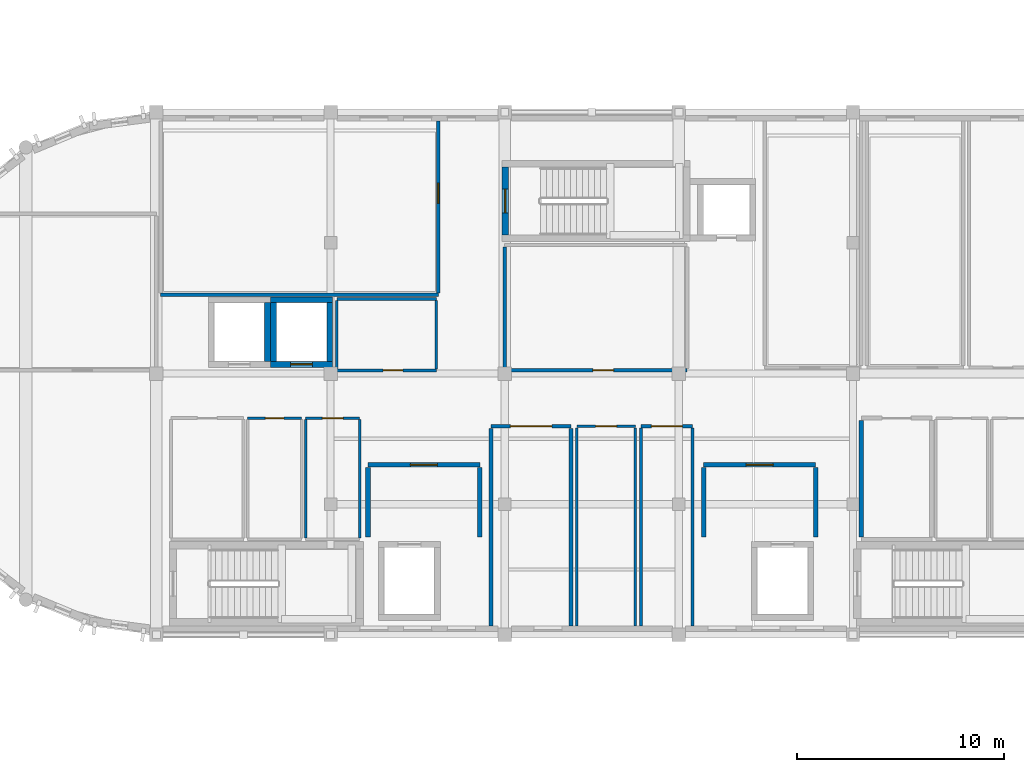
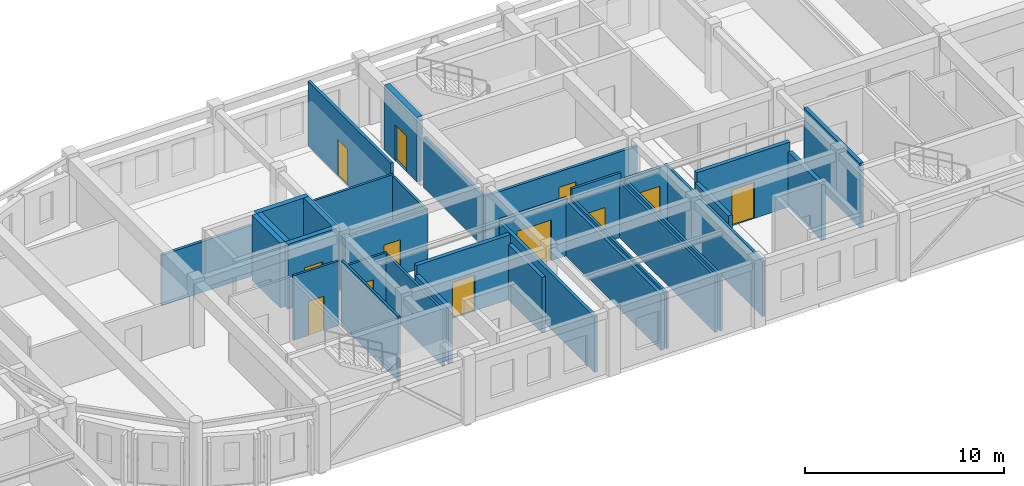
# One storey, part 18 of 29: 34 walls, 12 doors, 12 openings.
"""IFC4 building model written with IfcOpenShell, lengths in metres."""

from ifc_helpers import new_model, si_unit, direction, frame, frame_2d, origin, place, context, subcontext, project, spatial, rectangle, extrude, material, layer, layer_set, type_object, element, fill, save


model = new_model("IFC4")

# Units and contexts
model_context = context("Model", 3, precision=1e-05, world=origin(), true_north=direction((0.0, 1.0)))
body_context = subcontext(model_context, "Body", "Model", "MODEL_VIEW")
ifc_project = project(units=[si_unit("LENGTHUNIT", "METRE"), si_unit("AREAUNIT", "SQUARE_METRE"), si_unit("VOLUMEUNIT", "CUBIC_METRE"), si_unit("PLANEANGLEUNIT", "RADIAN"), si_unit("MASSUNIT", "GRAM", prefix="KILO")], contexts=[model_context])

# Site, building, storey
site_placement = place(None, origin())
site = spatial("IfcSite", under=ifc_project, at=site_placement, CompositionType="ELEMENT")
building_placement = place(site_placement, origin())
building = spatial("IfcBuilding", under=site, at=building_placement, Name="Tarnavel Promenade Courthouse", CompositionType="ELEMENT")
storey_placement = place(building_placement, frame((0.0, 0.0, 22.800048828125)))
storey = spatial("IfcBuildingStorey", under=building, at=storey_placement, Name="L06", CompositionType="ELEMENT", Elevation=22.800048828125)

# Wall
ifc_material_1 = material(Name="Acoustic Insulated Gypsum Stud Partition", Category="gypsum")
ifc_layer_1 = layer(ifc_material_1, 0.1650390625)
ifc_layer_set_1 = layer_set([ifc_layer_1], Name="Acoustic Insulated Gypsum Stud Partition")
wall_type_1 = type_object("IfcWallType", Name="Acoustic Insulated Gypsum Stud Partition WL-CHM-165 (165 mm)", PredefinedType="PARTITIONING", material=ifc_layer_set_1)
wall_1_placement = place(storey_placement, frame((72.39990234375, 95.60009765625, 0.0), z_axis=(0.0, 0.0, 1.0), x_axis=(-1.0, 0.0, 0.0)))
element("IfcWall", 1, at=wall_1_placement, inside=storey, type_object=wall_type_1, Name="L06 Judges' Chambers L06 Suite A Partition 0801", PredefinedType="PARTITIONING", context=body_context, shape_type="SweptSolid", body=[
    extrude(rectangle(XDim=13.39990234375, YDim=0.1650390625, at=frame_2d((6.699951171875, 0.0))), origin(), (0.0, 0.0, 1.0), 3.099853515625),
])

# Wall, opening, door
wall_2_placement = place(storey_placement, frame((72.39990234375, 103.98095703125, 0.0), z_axis=(0.0, 0.0, 1.0), x_axis=(0.0, -1.0, 0.0)))
wall_2 = element("IfcWall", 2, at=wall_2_placement, inside=storey, type_object=wall_type_1, Name="L06 Judges' Chambers L06 Suite A Partition 0803", PredefinedType="PARTITIONING", context=body_context, shape_type="SweptSolid", body=[
    extrude(rectangle(XDim=8.28857421875, YDim=0.1650390625, at=frame_2d((4.144287109375, 0.0))), origin(), (0.0, 0.0, 1.0), 3.954833984375),
])
opening_1_placement = place(wall_2_placement, frame((2.993408203125, 0.0, 0.0)))
opening_1 = element("IfcOpeningElement", 3, at=opening_1_placement, cuts=wall_2, Name="Opening ID-04", PredefinedType="OPENING", context=body_context, shape_type="SweptSolid", body=[
    extrude(rectangle(XDim=0.97998046875, YDim=2.199951171875, at=frame_2d((0.489990234375, 1.10009765625))), frame((0.0, 0.092529296875, 0.0), z_axis=(0.0, -1.0, 0.0), x_axis=(1.0, 0.0, 0.0)), (0.0, 0.0, 1.0), 0.18505859375),
])
ifc_material_2 = material(Name="Solid Oak Judges Chambers Door")
door_type_1 = type_object("IfcDoorType", Name="Solid Oak Judges Chambers Door (DR-CHM-0980x2200)", OperationType="NOTDEFINED", PredefinedType="DOOR", material=ifc_material_2)
door_1_placement = place(opening_1_placement, origin())
door_1 = element("IfcDoor", 4, at=door_1_placement, inside=storey, type_object=door_type_1, Name="L06 Judges' Chambers L06 Suite A Door 0229", OperationType="SINGLE_SWING_RIGHT", OverallHeight=2.199951171875, OverallWidth=0.97998046875, PredefinedType="DOOR", context=body_context, shape_type="SweptSolid", body=[
    extrude(rectangle(XDim=0.97998046875, YDim=2.199951171875, at=frame_2d((0.489990234375, 1.10009765625))), frame((0.0, 0.02490234375, 0.0), z_axis=(0.0, -1.0, 0.0), x_axis=(1.0, 0.0, 0.0)), (0.0, 0.0, 1.0), 0.050048828125),
])
fill(opening_1, door_1)

wall_3_placement = place(storey_placement, frame((84.39990234375, 91.949951171875, 0.0), z_axis=(0.0, 0.0, 1.0), x_axis=(-1.0, 0.0, 0.0)))
wall_3 = element("IfcWall", 5, at=wall_3_placement, inside=storey, type_object=wall_type_1, Name="L06 L06 Judicial Panel Deliberation Salon Partition 0809", PredefinedType="PARTITIONING", context=body_context, shape_type="SweptSolid", body=[
    extrude(rectangle(XDim=8.7998046875, YDim=0.1650390625, at=frame_2d((4.39990234375, 0.0))), origin(), (0.0, 0.0, 1.0), 3.099853515625),
])
opening_2_placement = place(wall_3_placement, frame((3.544921875, 0.0, 0.0)))
opening_2 = element("IfcOpeningElement", 6, at=opening_2_placement, cuts=wall_3, Name="Opening ID-03", PredefinedType="OPENING", context=body_context, shape_type="SweptSolid", body=[
    extrude(rectangle(XDim=1.0, YDim=2.14990234375, at=frame_2d((0.5, 1.074951171875))), frame((0.0, 0.092529296875, 0.0), z_axis=(0.0, -1.0, 0.0), x_axis=(1.0, 0.0, 0.0)), (0.0, 0.0, 1.0), 0.18505859375),
])
ifc_material_3 = material(Name="Acoustic Solid-Core Oak Jury Room Door")
door_type_2 = type_object("IfcDoorType", Name="Acoustic Solid-Core Oak Jury Room Door (DR-JRY-1000x2150)", OperationType="NOTDEFINED", PredefinedType="DOOR", material=ifc_material_3)
door_2_placement = place(opening_2_placement, origin())
door_2 = element("IfcDoor", 7, at=door_2_placement, inside=storey, type_object=door_type_2, Name="L06 L06 Judicial Panel Deliberation Salon Door 0231", OperationType="SINGLE_SWING_RIGHT", OverallHeight=2.14990234375, OverallWidth=1.0, PredefinedType="DOOR", context=body_context, shape_type="SweptSolid", body=[
    extrude(rectangle(XDim=1.0, YDim=2.14990234375, at=frame_2d((0.5, 1.074951171875))), frame((0.0, 0.02490234375, 0.0), z_axis=(0.0, -1.0, 0.0), x_axis=(1.0, 0.0, 0.0)), (0.0, 0.0, 1.0), 0.050048828125),
])
fill(opening_2, door_2)

# Wall
wall_4_placement = place(storey_placement, frame((75.60009765625, 92.04248046875, 0.0), z_axis=(0.0, 0.0, 1.0), x_axis=(0.0, 1.0, 0.0)))
element("IfcWall", 8, at=wall_4_placement, inside=storey, type_object=wall_type_1, Name="L06 L06 Judicial Panel Deliberation Salon Partition 0810", PredefinedType="PARTITIONING", context=body_context, shape_type="SweptSolid", body=[
    extrude(rectangle(XDim=5.864990234375, YDim=0.1650390625, at=frame_2d((2.9326171875, 0.0))), origin(), (0.0, 0.0, 1.0), 3.099853515625),
])

# Wall, opening, door
ifc_layer_2 = layer(ifc_material_1, 0.14990234375)
ifc_layer_set_2 = layer_set([ifc_layer_2], Name="Acoustic Insulated Gypsum Stud Partition")
wall_type_2 = type_object("IfcWallType", Name="Acoustic Insulated Gypsum Stud Partition WL-LIB-150 (150 mm)", PredefinedType="PARTITIONING", material=ifc_layer_set_2)
wall_5_placement = place(storey_placement, frame((82.180908203125, 89.260009765625, 0.0), z_axis=(0.0, 0.0, 1.0), x_axis=(1.0, 0.0, 0.0)))
wall_5 = element("IfcWall", 9, at=wall_5_placement, inside=storey, type_object=wall_type_2, Name="L06 Chambers Reference Library L06 Partition 0827", PredefinedType="PARTITIONING", context=body_context, shape_type="SweptSolid", body=[
    extrude(rectangle(XDim=2.47900390625, YDim=0.14990234375, at=frame_2d((1.239501953125, 0.0))), origin(), (0.0, 0.0, 1.0), 3.5),
])
opening_3_placement = place(wall_5_placement, frame((0.489501953125, 0.0, 0.0)))
opening_3 = element("IfcOpeningElement", 10, at=opening_3_placement, cuts=wall_5, Name="Opening ID-05", PredefinedType="OPENING", context=body_context, shape_type="SweptSolid", body=[
    extrude(rectangle(XDim=1.5, YDim=2.35009765625, at=frame_2d((0.75, 1.175048828125))), frame((0.0, 0.0849609375, 0.0), z_axis=(0.0, -1.0, 0.0), x_axis=(1.0, 0.0, 0.0)), (0.0, 0.0, 1.0), 0.169921875),
])
ifc_material_4 = material(Name="Glazed Oak Law Library Double Door")
door_type_3 = type_object("IfcDoorType", Name="Glazed Oak Law Library Double Door (DR-LIB-1500x2350)", OperationType="NOTDEFINED", PredefinedType="DOOR", material=ifc_material_4)
door_3_placement = place(opening_3_placement, origin())
door_3 = element("IfcDoor", 11, at=door_3_placement, inside=storey, type_object=door_type_3, Name="L06 Chambers Reference Library L06 Door 0237", OperationType="DOUBLE_DOOR_SINGLE_SWING", OverallHeight=2.35009765625, OverallWidth=1.5, PredefinedType="DOOR", context=body_context, shape_type="SweptSolid", body=[
    extrude(rectangle(XDim=1.5, YDim=2.35009765625, at=frame_2d((0.75, 1.175048828125))), frame((0.0, 0.02490234375, 0.0), z_axis=(0.0, -1.0, 0.0), x_axis=(1.0, 0.0, 0.0)), (0.0, 0.0, 1.0), 0.050048828125),
])
fill(opening_3, door_3)

# Walls
for number, where, z_axis, x_axis, name in (
    (12, (82.180908203125, 79.618896484375, 0.0), (0.0, 0.0, 1.0), (0.0, 1.0, 0.0), "L06 Chambers Reference Library L06 Partition 0828"),
    (13, (84.659912109375, 89.175048828125, 0.0), (0.0, 0.0, 1.0), (0.0, -1.0, 0.0), "L06 Chambers Reference Library L06 Partition 0829"),
):
    element("IfcWall", number, at=place(storey_placement, frame(where, z_axis=z_axis, x_axis=x_axis)), inside=storey, type_object=wall_type_2, Name=name, PredefinedType="PARTITIONING", context=body_context, shape_type="SweptSolid", body=[
        extrude(rectangle(XDim=9.55615234375, YDim=0.14990234375, at=frame_2d((4.778076171875, 0.0))), origin(), (0.0, 0.0, 1.0), 3.39990234375),
    ])
ifc_material_5 = material(Name="Concrete C40/50", Category="concrete")
ifc_layer_3 = layer(ifc_material_5, 0.280029296875)
ifc_layer_set_3 = layer_set([ifc_layer_3], Name="Concrete C40/50")
wall_type_3 = type_object("IfcWallType", Name="Concrete C40/50 WL-SHR-280 (280 mm)", PredefinedType="SHEAR", material=ifc_layer_set_3)
wall_6_placement = place(storey_placement, frame((64.159912109375, 95.219970703125, 0.0), z_axis=(0.0, 0.0, 1.0), x_axis=(0.0, -1.0, 0.0)))
element("IfcWall", 14, at=wall_6_placement, inside=storey, type_object=wall_type_3, Name="L06 L-PUB1 Lift Shaft East Wall", PredefinedType="SHEAR", context=body_context, shape_type="SweptSolid", body=[
    extrude(rectangle(XDim=2.840087890625, YDim=0.280029296875, at=frame_2d((1.419921875, 0.0))), origin(), (0.0, 0.0, 1.0), 3.969970703125),
])
wall_7_placement = place(storey_placement, frame((64.300048828125, 95.360107421875, 0.0), z_axis=(0.0, 0.0, 1.0), x_axis=(1.0, 0.0, 0.0)))
element("IfcWall", 15, at=wall_7_placement, inside=storey, type_object=wall_type_3, Name="L06 L-PUB2 Lift Shaft North Wall", PredefinedType="SHEAR", context=body_context, shape_type="SweptSolid", body=[
    extrude(rectangle(XDim=3.0, YDim=0.280029296875, at=frame_2d((1.5, 0.0))), origin(), (0.0, 0.0, 1.0), 3.969970703125),
])

# Wall, opening, door
wall_8_placement = place(storey_placement, frame((67.300048828125, 92.239990234375, 0.0), z_axis=(0.0, 0.0, 1.0), x_axis=(-1.0, 0.0, 0.0)))
wall_8 = element("IfcWall", 16, at=wall_8_placement, inside=storey, type_object=wall_type_3, Name="L06 L-PUB2 Lift Shaft South Wall", PredefinedType="SHEAR", context=body_context, shape_type="SweptSolid", body=[
    extrude(rectangle(XDim=3.0, YDim=0.280029296875, at=frame_2d((1.5, 0.0))), origin(), (0.0, 0.0, 1.0), 3.969970703125),
])
opening_4_placement = place(wall_8_placement, frame((0.97509765625, 0.0, 0.0)))
opening_4 = element("IfcOpeningElement", 17, at=opening_4_placement, cuts=wall_8, Name="Opening LD-02", PredefinedType="OPENING", context=body_context, shape_type="SweptSolid", body=[
    extrude(rectangle(XDim=1.050048828125, YDim=2.199951171875, at=frame_2d((0.52490234375, 1.10009765625))), frame((0.0, 0.14990234375, 0.0), z_axis=(0.0, -1.0, 0.0), x_axis=(1.0, 0.0, 0.0)), (0.0, 0.0, 1.0), 0.300048828125),
])
ifc_material_6 = material(Name="Brushed Bronze Passenger Lift Landing Sliding Door")
door_type_4 = type_object("IfcDoorType", Name="Brushed Bronze Passenger Lift Landing Sliding Door (LD-PUB-1050x2200)", OperationType="NOTDEFINED", PredefinedType="DOOR", material=ifc_material_6)
door_4_placement = place(opening_4_placement, origin())
door_4 = element("IfcDoor", 18, at=door_4_placement, inside=storey, type_object=door_type_4, Name="L06 L-PUB2 Lift Sliding Landing Door", OperationType="DOUBLE_DOOR_SLIDING", OverallHeight=2.199951171875, OverallWidth=1.050048828125, PredefinedType="DOOR", context=body_context, shape_type="SweptSolid", body=[
    extrude(rectangle(XDim=1.050048828125, YDim=2.199951171875, at=frame_2d((0.52490234375, 1.10009765625))), frame((0.0, 0.02490234375, 0.0), z_axis=(0.0, -1.0, 0.0), x_axis=(1.0, 0.0, 0.0)), (0.0, 0.0, 1.0), 0.050048828125),
])
fill(opening_4, door_4)

# Walls
for number, where, z_axis, x_axis, name in (
    (19, (64.43994140625, 92.3798828125, 0.0), (0.0, 0.0, 1.0), (0.0, 1.0, 0.0), "L06 L-PUB2 Lift Shaft West Wall"),
    (20, (67.159912109375, 95.219970703125, 0.0), (0.0, 0.0, 1.0), (0.0, -1.0, 0.0), "L06 L-PUB2 Lift Shaft East Wall"),
):
    element("IfcWall", number, at=place(storey_placement, frame(where, z_axis=z_axis, x_axis=x_axis)), inside=storey, type_object=wall_type_3, Name=name, PredefinedType="SHEAR", context=body_context, shape_type="SweptSolid", body=[
        extrude(rectangle(XDim=2.840087890625, YDim=0.280029296875, at=frame_2d((1.419921875, 0.0))), origin(), (0.0, 0.0, 1.0), 3.969970703125),
    ])

# Wall, opening, door
ifc_layer_4 = layer(ifc_material_5, 0.320068359375)
ifc_layer_set_4 = layer_set([ifc_layer_4], Name="Concrete C40/50")
wall_type_4 = type_object("IfcWallType", Name="Concrete C40/50 WL-SHR-320 (320 mm)", PredefinedType="SHEAR", material=ifc_layer_set_4)
wall_9_placement = place(storey_placement, frame((75.6201171875, 98.47998046875, 0.0), z_axis=(0.0, 0.0, 1.0), x_axis=(0.0, 1.0, 0.0)))
wall_9 = element("IfcWall", 21, at=wall_9_placement, inside=storey, type_object=wall_type_4, Name="L06 ST-03 Shear Core West Landing Wall", PredefinedType="SHEAR", context=body_context, shape_type="SweptSolid", body=[
    extrude(rectangle(XDim=3.280029296875, YDim=0.320068359375, at=frame_2d((1.64013671875, 0.0))), origin(), (0.0, 0.0, 1.0), 3.969970703125),
])
opening_5_placement = place(wall_9_placement, frame((1.06494140625, 0.0, 0.0)))
opening_5 = element("IfcOpeningElement", 22, at=opening_5_placement, cuts=wall_9, Name="Opening FD-01", PredefinedType="OPENING", context=body_context, shape_type="SweptSolid", body=[
    extrude(rectangle(XDim=1.14990234375, YDim=2.199951171875, at=frame_2d((0.574951171875, 1.10009765625))), frame((0.0, 0.169921875, 0.0), z_axis=(0.0, -1.0, 0.0), x_axis=(1.0, 0.0, 0.0)), (0.0, 0.0, 1.0), 0.340087890625),
])
ifc_material_7 = material(Name="Steel Fire-Rated Stair Core Door", Category="steel")
door_type_5 = type_object("IfcDoorType", Name="Steel Fire-Rated Stair Core Door (DR-ST-1150x2200)", OperationType="NOTDEFINED", PredefinedType="DOOR", material=ifc_material_7)
door_5_placement = place(opening_5_placement, origin())
door_5 = element("IfcDoor", 23, at=door_5_placement, inside=storey, type_object=door_type_5, Name="L06 ST-03 Protected Exit Stair Door", OperationType="SINGLE_SWING_RIGHT", OverallHeight=2.199951171875, OverallWidth=1.14990234375, PredefinedType="DOOR", context=body_context, shape_type="SweptSolid", body=[
    extrude(rectangle(XDim=1.14990234375, YDim=2.199951171875, at=frame_2d((0.574951171875, 1.10009765625))), frame((0.0, 0.02490234375, 0.0), z_axis=(0.0, -1.0, 0.0), x_axis=(1.0, 0.0, 0.0)), (0.0, 0.0, 1.0), 0.050048828125),
])
fill(opening_5, door_5)

# Wall
ifc_material_8 = material(Name="Concrete Masonry Fire Compartment Wall", Category="masonry")
ifc_layer_5 = layer(ifc_material_8, 0.205078125)
ifc_layer_set_5 = layer_set([ifc_layer_5], Name="Concrete Masonry Fire Compartment Wall")
wall_type_5 = type_object("IfcWallType", Name="Concrete Masonry Fire Compartment Wall WL-CMP-205 (205 mm)", PredefinedType="STANDARD", material=ifc_layer_set_5)
wall_10_placement = place(storey_placement, frame((92.800048828125, 83.91259765625, 0.0), z_axis=(0.0, 0.0, 1.0), x_axis=(0.0, 1.0, 0.0)))
element("IfcWall", 24, at=wall_10_placement, inside=storey, type_object=wall_type_5, Name="L06 L06 Court Transcript Records Room Partition 0779", PredefinedType="STANDARD", context=body_context, shape_type="SweptSolid", body=[
    extrude(rectangle(XDim=5.625, YDim=0.205078125, at=frame_2d((2.8125, 0.0))), origin(), (0.0, 0.0, 1.0), 3.954833984375),
])

# Wall, opening, door
ifc_layer_6 = layer(ifc_material_8, 0.22998046875)
ifc_layer_set_6 = layer_set([ifc_layer_6], Name="Concrete Masonry Fire Compartment Wall")
wall_type_6 = type_object("IfcWallType", Name="Concrete Masonry Fire Compartment Wall WL-CMP-230 (230 mm)", PredefinedType="STANDARD", material=ifc_layer_set_6)
wall_11_placement = place(storey_placement, frame((69.0, 87.39990234375, 0.0), z_axis=(0.0, 0.0, 1.0), x_axis=(1.0, 0.0, 0.0)))
wall_11 = element("IfcWall", 25, at=wall_11_placement, inside=storey, type_object=wall_type_6, Name="L06 Firefighting Lobby L-FF1 Partition 0751", PredefinedType="STANDARD", context=body_context, shape_type="SweptSolid", body=[
    extrude(rectangle(XDim=5.39990234375, YDim=0.22998046875, at=frame_2d((2.699951171875, 0.0))), origin(), (0.0, 0.0, 1.0), 3.954833984375),
])
opening_6_placement = place(wall_11_placement, frame((2.050048828125, 0.0, 0.0)))
opening_6 = element("IfcOpeningElement", 26, at=opening_6_placement, cuts=wall_11, Name="Opening FD-03", PredefinedType="OPENING", context=body_context, shape_type="SweptSolid", body=[
    extrude(rectangle(XDim=1.300048828125, YDim=2.199951171875, at=frame_2d((0.64990234375, 1.10009765625))), frame((0.0, 0.125, 0.0), z_axis=(0.0, -1.0, 0.0), x_axis=(1.0, 0.0, 0.0)), (0.0, 0.0, 1.0), 0.25),
])
ifc_material_9 = material(Name="Smoke-Sealed Firefighting Lobby Fire Door")
door_type_6 = type_object("IfcDoorType", Name="Smoke-Sealed Firefighting Lobby Fire Door (DR-FFL-1300x2200)", OperationType="NOTDEFINED", PredefinedType="DOOR", material=ifc_material_9)
door_6_placement = place(opening_6_placement, origin())
door_6 = element("IfcDoor", 27, at=door_6_placement, inside=storey, type_object=door_type_6, Name="L06 Firefighting Lobby L-FF1 Door 0215", OperationType="SINGLE_SWING_RIGHT", OverallHeight=2.199951171875, OverallWidth=1.300048828125, PredefinedType="DOOR", context=body_context, shape_type="SweptSolid", body=[
    extrude(rectangle(XDim=1.300048828125, YDim=2.199951171875, at=frame_2d((0.64990234375, 1.10009765625))), frame((0.0, 0.02490234375, 0.0), z_axis=(0.0, -1.0, 0.0), x_axis=(1.0, 0.0, 0.0)), (0.0, 0.0, 1.0), 0.050048828125),
])
fill(opening_6, door_6)

# Walls
for number, where, z_axis, x_axis, name in (
    (28, (69.0, 83.925048828125, 0.0), (0.0, 0.0, 1.0), (0.0, 1.0, 0.0), "L06 Firefighting Lobby L-FF1 Partition 0752"),
    (29, (74.39990234375, 87.27490234375, 0.0), (0.0, 0.0, 1.0), (0.0, -1.0, 0.0), "L06 Firefighting Lobby L-FF1 Partition 0753"),
):
    element("IfcWall", number, at=place(storey_placement, frame(where, z_axis=z_axis, x_axis=x_axis)), inside=storey, type_object=wall_type_6, Name=name, PredefinedType="STANDARD", context=body_context, shape_type="SweptSolid", body=[
        extrude(rectangle(XDim=3.349853515625, YDim=0.22998046875, at=frame_2d((1.6748046875, 0.0))), origin(), (0.0, 0.0, 1.0), 3.39990234375),
    ])

# Wall, opening, door
wall_12_placement = place(storey_placement, frame((85.199951171875, 87.39990234375, 0.0), z_axis=(0.0, 0.0, 1.0), x_axis=(1.0, 0.0, 0.0)))
wall_12 = element("IfcWall", 30, at=wall_12_placement, inside=storey, type_object=wall_type_6, Name="L06 Firefighting Lobby L-FF2 Partition 0754", PredefinedType="STANDARD", context=body_context, shape_type="SweptSolid", body=[
    extrude(rectangle(XDim=5.400146484375, YDim=0.22998046875, at=frame_2d((2.7001953125, 0.0))), origin(), (0.0, 0.0, 1.0), 3.954833984375),
])
opening_7_placement = place(wall_12_placement, frame((2.050048828125, 0.0, 0.0)))
opening_7 = element("IfcOpeningElement", 31, at=opening_7_placement, cuts=wall_12, Name="Opening FD-03", PredefinedType="OPENING", context=body_context, shape_type="SweptSolid", body=[
    extrude(rectangle(XDim=1.300048828125, YDim=2.199951171875, at=frame_2d((0.64990234375, 1.10009765625))), frame((0.0, 0.125, 0.0), z_axis=(0.0, -1.0, 0.0), x_axis=(1.0, 0.0, 0.0)), (0.0, 0.0, 1.0), 0.25),
])
door_7_placement = place(opening_7_placement, origin())
door_7 = element("IfcDoor", 32, at=door_7_placement, inside=storey, type_object=door_type_6, Name="L06 Firefighting Lobby L-FF2 Door 0216", OperationType="SINGLE_SWING_LEFT", OverallHeight=2.199951171875, OverallWidth=1.300048828125, PredefinedType="DOOR", context=body_context, shape_type="SweptSolid", body=[
    extrude(rectangle(XDim=1.300048828125, YDim=2.199951171875, at=frame_2d((0.64990234375, 1.10009765625))), frame((0.0, 0.02490234375, 0.0), z_axis=(0.0, -1.0, 0.0), x_axis=(1.0, 0.0, 0.0)), (0.0, 0.0, 1.0), 0.050048828125),
])
fill(opening_7, door_7)

# Walls
for number, where, z_axis, x_axis, name in (
    (33, (85.199951171875, 83.925048828125, 0.0), (0.0, 0.0, 1.0), (0.0, 1.0, 0.0), "L06 Firefighting Lobby L-FF2 Partition 0755"),
    (34, (90.60009765625, 87.27490234375, 0.0), (0.0, 0.0, 1.0), (0.0, -1.0, 0.0), "L06 Firefighting Lobby L-FF2 Partition 0756"),
):
    element("IfcWall", number, at=place(storey_placement, frame(where, z_axis=z_axis, x_axis=x_axis)), inside=storey, type_object=wall_type_6, Name=name, PredefinedType="STANDARD", context=body_context, shape_type="SweptSolid", body=[
        extrude(rectangle(XDim=3.349853515625, YDim=0.22998046875, at=frame_2d((1.6748046875, 0.0))), origin(), (0.0, 0.0, 1.0), 3.39990234375),
    ])

# Wall, opening, door
ifc_material_10 = material(Name="Double-Stud Acoustic Courtroom Partition Assembly", Category="gypsum")
ifc_layer_7 = layer(ifc_material_10, 0.18505859375)
ifc_layer_set_7 = layer_set([ifc_layer_7], Name="Double-Stud Acoustic Courtroom Partition Assembly")
wall_type_7 = type_object("IfcWallType", Name="Double-Stud Acoustic Courtroom Partition Assembly WL-CRT-185 (185 mm)", PredefinedType="PARTITIONING", material=ifc_layer_set_7)
wall_13_placement = place(storey_placement, frame((74.93994140625, 89.260009765625, 0.0), z_axis=(0.0, 0.0, 1.0), x_axis=(1.0, 0.0, 0.0)))
wall_13 = element("IfcWall", 35, at=wall_13_placement, inside=storey, type_object=wall_type_7, Name="L06 Chamber Hearing Room L06 Partition 0821", PredefinedType="PARTITIONING", context=body_context, shape_type="SweptSolid", body=[
    extrude(rectangle(XDim=3.858154296875, YDim=0.18505859375, at=frame_2d((1.92919921875, 0.0))), origin(), (0.0, 0.0, 1.0), 3.5),
])
opening_8_placement = place(wall_13_placement, frame((0.928955078125, 0.0, 0.0)))
opening_8 = element("IfcOpeningElement", 36, at=opening_8_placement, cuts=wall_13, Name="Opening ID-01", PredefinedType="OPENING", context=body_context, shape_type="SweptSolid", body=[
    extrude(rectangle(XDim=2.0, YDim=2.5, at=frame_2d((1.0, 1.25))), frame((0.0, 0.1025390625, 0.0), z_axis=(0.0, -1.0, 0.0), x_axis=(1.0, 0.0, 0.0)), (0.0, 0.0, 1.0), 0.205078125),
])
ifc_material_11 = material(Name="Solid Oak Acoustic Courtroom Double Door")
door_type_7 = type_object("IfcDoorType", Name="Solid Oak Acoustic Courtroom Double Door (DR-CRT-2000x2500)", OperationType="NOTDEFINED", PredefinedType="DOOR", material=ifc_material_11)
door_8_placement = place(opening_8_placement, origin())
door_8 = element("IfcDoor", 37, at=door_8_placement, inside=storey, type_object=door_type_7, Name="L06 Chamber Hearing Room L06 Door 0235", OperationType="DOUBLE_DOOR_SINGLE_SWING", OverallHeight=2.5, OverallWidth=2.0, PredefinedType="DOOR", context=body_context, shape_type="SweptSolid", body=[
    extrude(rectangle(XDim=2.0, YDim=2.5, at=frame_2d((1.0, 1.25))), frame((0.0, 0.02490234375, 0.0), z_axis=(0.0, -1.0, 0.0), x_axis=(1.0, 0.0, 0.0)), (0.0, 0.0, 1.0), 0.050048828125),
])
fill(opening_8, door_8)

# Walls
for number, where, z_axis, x_axis, name in (
    (38, (74.93994140625, 79.618896484375, 0.0), (0.0, 0.0, 1.0), (0.0, 1.0, 0.0), "L06 Chamber Hearing Room L06 Partition 0822"),
    (39, (78.798095703125, 89.157470703125, 0.0), (0.0, 0.0, 1.0), (0.0, -1.0, 0.0), "L06 Chamber Hearing Room L06 Partition 0823"),
):
    element("IfcWall", number, at=place(storey_placement, frame(where, z_axis=z_axis, x_axis=x_axis)), inside=storey, type_object=wall_type_7, Name=name, PredefinedType="PARTITIONING", context=body_context, shape_type="SweptSolid", body=[
        extrude(rectangle(XDim=9.53857421875, YDim=0.18505859375, at=frame_2d((4.769287109375, 0.0))), origin(), (0.0, 0.0, 1.0), 3.39990234375),
    ])
ifc_material_12 = material(Name="Metal-Stud Acoustic Gypsum Partition", Category="gypsum")
ifc_layer_8 = layer(ifc_material_12, 0.135009765625)
ifc_layer_set_8 = layer_set([ifc_layer_8], Name="Metal-Stud Acoustic Gypsum Partition")
wall_type_8 = type_object("IfcWallType", Name="Metal-Stud Acoustic Gypsum Partition WL-OFF-135 (135 mm)", PredefinedType="PARTITIONING", material=ifc_layer_set_8)
wall_14_placement = place(storey_placement, frame((67.5, 95.39990234375, 0.0), z_axis=(0.0, 0.0, 1.0), x_axis=(1.0, 0.0, 0.0)))
element("IfcWall", 40, at=wall_14_placement, inside=storey, type_object=wall_type_8, Name="L06 L06 Judicial Case Clerks' Room Partition 0804", PredefinedType="PARTITIONING", context=body_context, shape_type="SweptSolid", body=[
    extrude(rectangle(XDim=4.800048828125, YDim=0.135009765625, at=frame_2d((2.39990234375, 0.0))), origin(), (0.0, 0.0, 1.0), 3.5),
])

# Wall, opening, door
wall_15_placement = place(storey_placement, frame((72.300048828125, 91.949951171875, 0.0), z_axis=(0.0, 0.0, 1.0), x_axis=(-1.0, 0.0, 0.0)))
wall_15 = element("IfcWall", 41, at=wall_15_placement, inside=storey, type_object=wall_type_8, Name="L06 L06 Judicial Case Clerks' Room Partition 0805", PredefinedType="PARTITIONING", context=body_context, shape_type="SweptSolid", body=[
    extrude(rectangle(XDim=4.800048828125, YDim=0.135009765625, at=frame_2d((2.39990234375, 0.0))), origin(), (0.0, 0.0, 1.0), 3.39990234375),
])
opening_9_placement = place(wall_15_placement, frame((1.610107421875, 0.0, 0.0)))
opening_9 = element("IfcOpeningElement", 42, at=opening_9_placement, cuts=wall_15, Name="Opening ID-06", PredefinedType="OPENING", context=body_context, shape_type="SweptSolid", body=[
    extrude(rectangle(XDim=0.949951171875, YDim=2.14990234375, at=frame_2d((0.47509765625, 1.074951171875))), frame((0.0, 0.077392578125, 0.0), z_axis=(0.0, -1.0, 0.0), x_axis=(1.0, 0.0, 0.0)), (0.0, 0.0, 1.0), 0.155029296875),
])
ifc_material_13 = material(Name="Acoustic Timber Veneer Office Door", Category="wood")
door_type_8 = type_object("IfcDoorType", Name="Acoustic Timber Veneer Office Door (DR-OFF-0950x2150)", OperationType="NOTDEFINED", PredefinedType="DOOR", material=ifc_material_13)
door_9_placement = place(opening_9_placement, origin())
door_9 = element("IfcDoor", 43, at=door_9_placement, inside=storey, type_object=door_type_8, Name="L06 L06 Judicial Case Clerks' Room Door 0230", OperationType="SINGLE_SWING_LEFT", OverallHeight=2.14990234375, OverallWidth=0.949951171875, PredefinedType="DOOR", context=body_context, shape_type="SweptSolid", body=[
    extrude(rectangle(XDim=0.949951171875, YDim=2.14990234375, at=frame_2d((0.47509765625, 1.074951171875))), frame((0.0, 0.02490234375, 0.0), z_axis=(0.0, -1.0, 0.0), x_axis=(1.0, 0.0, 0.0)), (0.0, 0.0, 1.0), 0.050048828125),
])
fill(opening_9, door_9)

# Walls
for number, where, z_axis, x_axis, name in (
    (44, (67.5, 92.027587890625, 0.0), (0.0, 0.0, 1.0), (0.0, 1.0, 0.0), "L06 L06 Judicial Case Clerks' Room Partition 0806"),
    (45, (72.300048828125, 95.322509765625, 0.0), (0.0, 0.0, 1.0), (0.0, -1.0, 0.0), "L06 L06 Judicial Case Clerks' Room Partition 0807"),
):
    element("IfcWall", number, at=place(storey_placement, frame(where, z_axis=z_axis, x_axis=x_axis)), inside=storey, type_object=wall_type_8, Name=name, PredefinedType="PARTITIONING", context=body_context, shape_type="SweptSolid", body=[
        extrude(rectangle(XDim=3.294921875, YDim=0.135009765625, at=frame_2d((1.6474609375, 0.0))), origin(), (0.0, 0.0, 1.0), 3.39990234375),
    ])

# Wall, opening, door
wall_16_placement = place(storey_placement, frame((79.077880859375, 89.260009765625, 0.0), z_axis=(0.0, 0.0, 1.0), x_axis=(1.0, 0.0, 0.0)))
wall_16 = element("IfcWall", 46, at=wall_16_placement, inside=storey, type_object=wall_type_8, Name="L06 Judicial Case Conference Room L06 Partition 0824", PredefinedType="PARTITIONING", context=body_context, shape_type="SweptSolid", body=[
    extrude(rectangle(XDim=2.822998046875, YDim=0.135009765625, at=frame_2d((1.41162109375, 0.0))), origin(), (0.0, 0.0, 1.0), 3.954833984375),
])
opening_10_placement = place(wall_16_placement, frame((0.901611328125, 0.0, 0.0)))
opening_10 = element("IfcOpeningElement", 47, at=opening_10_placement, cuts=wall_16, Name="Opening ID-07", PredefinedType="OPENING", context=body_context, shape_type="SweptSolid", body=[
    extrude(rectangle(XDim=1.02001953125, YDim=2.14990234375, at=frame_2d((0.510009765625, 1.074951171875))), frame((0.0, 0.077392578125, 0.0), z_axis=(0.0, -1.0, 0.0), x_axis=(1.0, 0.0, 0.0)), (0.0, 0.0, 1.0), 0.155029296875),
])
ifc_material_14 = material(Name="Acoustic Timber Seminar Room Door", Category="wood")
door_type_9 = type_object("IfcDoorType", Name="Acoustic Timber Seminar Room Door (DR-MTG-1020x2150)", OperationType="NOTDEFINED", PredefinedType="DOOR", material=ifc_material_14)
door_10_placement = place(opening_10_placement, origin())
door_10 = element("IfcDoor", 48, at=door_10_placement, inside=storey, type_object=door_type_9, Name="L06 Judicial Case Conference Room L06 Door 0236", OperationType="SINGLE_SWING_RIGHT", OverallHeight=2.14990234375, OverallWidth=1.02001953125, PredefinedType="DOOR", context=body_context, shape_type="SweptSolid", body=[
    extrude(rectangle(XDim=1.02001953125, YDim=2.14990234375, at=frame_2d((0.510009765625, 1.074951171875))), frame((0.0, 0.02490234375, 0.0), z_axis=(0.0, -1.0, 0.0), x_axis=(1.0, 0.0, 0.0)), (0.0, 0.0, 1.0), 0.050048828125),
])
fill(opening_10, door_10)

# Walls
for number, where, z_axis, x_axis, name in (
    (49, (79.077880859375, 79.618896484375, 0.0), (0.0, 0.0, 1.0), (0.0, 1.0, 0.0), "L06 Judicial Case Conference Room L06 Partition 0825"),
    (50, (81.90087890625, 89.1826171875, 0.0), (0.0, 0.0, 1.0), (0.0, -1.0, 0.0), "L06 Judicial Case Conference Room L06 Partition 0826"),
):
    element("IfcWall", number, at=place(storey_placement, frame(where, z_axis=z_axis, x_axis=x_axis)), inside=storey, type_object=wall_type_8, Name=name, PredefinedType="PARTITIONING", context=body_context, shape_type="SweptSolid", body=[
        extrude(rectangle(XDim=9.563720703125, YDim=0.135009765625, at=frame_2d((4.78173828125, 0.0))), origin(), (0.0, 0.0, 1.0), 3.39990234375),
    ])

# Wall, opening, door
ifc_material_15 = material(Name="Moisture-Resistant Tile-Backed Stud Partition", Category="gypsum")
ifc_layer_9 = layer(ifc_material_15, 0.125)
ifc_layer_set_9 = layer_set([ifc_layer_9], Name="Moisture-Resistant Tile-Backed Stud Partition")
wall_type_9 = type_object("IfcWallType", Name="Moisture-Resistant Tile-Backed Stud Partition WL-WET-125 (125 mm)", PredefinedType="PARTITIONING", material=ifc_layer_set_9)
wall_17_placement = place(storey_placement, frame((63.199951171875, 89.64990234375, 0.0), z_axis=(0.0, 0.0, 1.0), x_axis=(1.0, 0.0, 0.0)))
wall_17 = element("IfcWall", 51, at=wall_17_placement, inside=storey, type_object=wall_type_9, Name="L06 Public WC Partition 0757", PredefinedType="PARTITIONING", context=body_context, shape_type="SweptSolid", body=[
    extrude(rectangle(XDim=2.60009765625, YDim=0.125, at=frame_2d((1.300048828125, 0.0))), origin(), (0.0, 0.0, 1.0), 3.954833984375),
])
opening_11_placement = place(wall_17_placement, frame((0.85009765625, 0.0, 0.0)))
opening_11 = element("IfcOpeningElement", 52, at=opening_11_placement, cuts=wall_17, Name="Opening ID-08", PredefinedType="OPENING", context=body_context, shape_type="SweptSolid", body=[
    extrude(rectangle(XDim=0.89990234375, YDim=2.10009765625, at=frame_2d((0.449951171875, 1.050048828125))), frame((0.0, 0.072509765625, 0.0), z_axis=(0.0, -1.0, 0.0), x_axis=(1.0, 0.0, 0.0)), (0.0, 0.0, 1.0), 0.14501953125),
])
ifc_material_16 = material(Name="Moisture-Resistant Laminate Restroom Door")
door_type_10 = type_object("IfcDoorType", Name="Moisture-Resistant Laminate Restroom Door (DR-WC-0900x2100)", OperationType="NOTDEFINED", PredefinedType="DOOR", material=ifc_material_16)
door_11_placement = place(opening_11_placement, origin())
door_11 = element("IfcDoor", 53, at=door_11_placement, inside=storey, type_object=door_type_10, Name="L06 Public WC Door 0217", OperationType="SINGLE_SWING_RIGHT", OverallHeight=2.10009765625, OverallWidth=0.89990234375, PredefinedType="DOOR", context=body_context, shape_type="SweptSolid", body=[
    extrude(rectangle(XDim=0.89990234375, YDim=2.10009765625, at=frame_2d((0.449951171875, 1.050048828125))), frame((0.0, 0.02490234375, 0.0), z_axis=(0.0, -1.0, 0.0), x_axis=(1.0, 0.0, 0.0)), (0.0, 0.0, 1.0), 0.050048828125),
])
fill(opening_11, door_11)

wall_18_placement = place(storey_placement, frame((66.0, 89.64990234375, 0.0), z_axis=(0.0, 0.0, 1.0), x_axis=(1.0, 0.0, 0.0)))
wall_18 = element("IfcWall", 54, at=wall_18_placement, inside=storey, type_object=wall_type_9, Name="L06 Accessible WC Partition 0761", PredefinedType="PARTITIONING", context=body_context, shape_type="SweptSolid", body=[
    extrude(rectangle(XDim=2.60009765625, YDim=0.125, at=frame_2d((1.300048828125, 0.0))), origin(), (0.0, 0.0, 1.0), 3.5),
])
opening_12_placement = place(wall_18_placement, frame((0.800048828125, 0.0, 0.0)))
opening_12 = element("IfcOpeningElement", 55, at=opening_12_placement, cuts=wall_18, Name="Opening ID-09", PredefinedType="OPENING", context=body_context, shape_type="SweptSolid", body=[
    extrude(rectangle(XDim=1.0, YDim=2.10009765625, at=frame_2d((0.5, 1.050048828125))), frame((0.0, 0.072509765625, 0.0), z_axis=(0.0, -1.0, 0.0), x_axis=(1.0, 0.0, 0.0)), (0.0, 0.0, 1.0), 0.14501953125),
])
ifc_material_17 = material(Name="Wide Accessible Restroom Outward Door")
door_type_11 = type_object("IfcDoorType", Name="Wide Accessible Restroom Outward Door (DR-AWC-1000x2100)", OperationType="NOTDEFINED", PredefinedType="DOOR", material=ifc_material_17)
door_12_placement = place(opening_12_placement, origin())
door_12 = element("IfcDoor", 56, at=door_12_placement, inside=storey, type_object=door_type_11, Name="L06 Accessible WC Door 0218", OperationType="SINGLE_SWING_LEFT", OverallHeight=2.10009765625, OverallWidth=1.0, PredefinedType="DOOR", context=body_context, shape_type="SweptSolid", body=[
    extrude(rectangle(XDim=1.0, YDim=2.10009765625, at=frame_2d((0.5, 1.050048828125))), frame((0.0, 0.02490234375, 0.0), z_axis=(0.0, -1.0, 0.0), x_axis=(1.0, 0.0, 0.0)), (0.0, 0.0, 1.0), 0.050048828125),
])
fill(opening_12, door_12)

# Walls
wall_19_placement = place(storey_placement, frame((66.0, 83.87255859375, 0.0), z_axis=(0.0, 0.0, 1.0), x_axis=(0.0, 1.0, 0.0)))
element("IfcWall", 57, at=wall_19_placement, inside=storey, type_object=wall_type_9, Name="L06 Accessible WC Partition 0763", PredefinedType="PARTITIONING", context=body_context, shape_type="SweptSolid", body=[
    extrude(rectangle(XDim=5.704833984375, YDim=0.125, at=frame_2d((2.8525390625, 0.0))), origin(), (0.0, 0.0, 1.0), 3.954833984375),
])
wall_20_placement = place(storey_placement, frame((68.60009765625, 89.577392578125, 0.0), z_axis=(0.0, 0.0, 1.0), x_axis=(0.0, -1.0, 0.0)))
element("IfcWall", 58, at=wall_20_placement, inside=storey, type_object=wall_type_9, Name="L06 Accessible WC Partition 0764", PredefinedType="PARTITIONING", context=body_context, shape_type="SweptSolid", body=[
    extrude(rectangle(XDim=5.704833984375, YDim=0.125, at=frame_2d((2.8525390625, 0.0))), origin(), (0.0, 0.0, 1.0), 3.39990234375),
])

save(model, "model.ifc")
